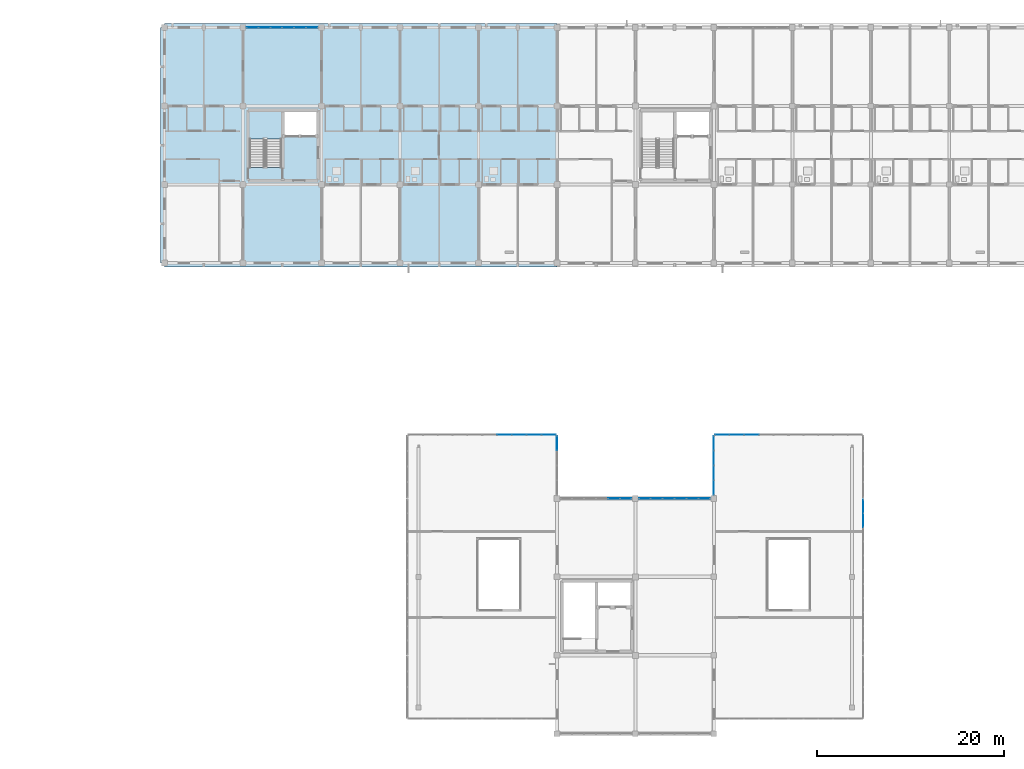
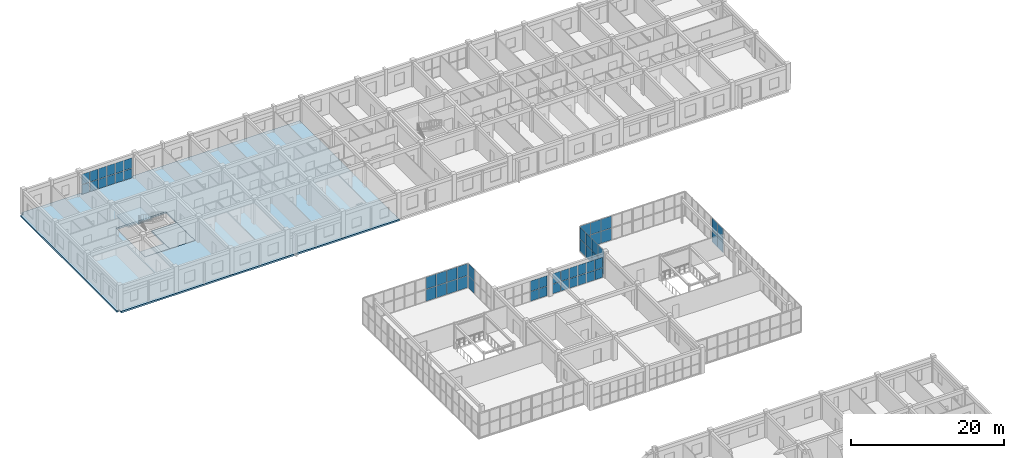
# One storey, part 55 of 81: 56 plates, 4 slabs, 9 elements without a shape of their own.
"""IFC4 building model written with IfcOpenShell, lengths in metres."""

from ifc_helpers import new_model, si_unit, direction, frame, origin, origin_2d, place, context, subcontext, project, spatial, polyline, rectangle, outline, extrude, material, layer, layer_set, type_object, element, aggregate, save


model = new_model("IFC4")

# Units and contexts
model_context = context("Model", 3, precision=1e-05, world=origin(), true_north=direction((0.0, 1.0)))
body_context = subcontext(model_context, "Body", "Model", "MODEL_VIEW")
ifc_project = project(units=[si_unit("LENGTHUNIT", "METRE"), si_unit("AREAUNIT", "SQUARE_METRE"), si_unit("VOLUMEUNIT", "CUBIC_METRE"), si_unit("PLANEANGLEUNIT", "RADIAN"), si_unit("MASSUNIT", "GRAM", prefix="KILO")], contexts=[model_context])

# Site, building, storey
site_placement = place(None, origin())
site = spatial("IfcSite", under=ifc_project, at=site_placement, CompositionType="ELEMENT")
building_placement = place(site_placement, origin())
building = spatial("IfcBuilding", under=site, at=building_placement, Name="Trelvath General Hospital", CompositionType="ELEMENT")
storey_placement = place(building_placement, frame((0.0, 0.0, 24.60009765625)))
storey = spatial("IfcBuildingStorey", under=building, at=storey_placement, Name="L06", CompositionType="ELEMENT", Elevation=24.60009765625)

# Curtain wall, plates
ifc_material_1 = material(Name="Anodised aluminium and low-E glass", Category="aluminium")
ifc_layer_1 = layer(ifc_material_1, 0.14990234375)
ifc_layer_set_1 = layer_set([ifc_layer_1], Name="Anodised aluminium and low-E glass")
curtain_wall_type_1 = type_object("IfcCurtainWallType", Name="CW Facade 767 334 15", PredefinedType="USERDEFINED", material=ifc_layer_set_1)
curtain_wall_1_placement = place(storey_placement, origin())
curtain_wall_1 = element("IfcCurtainWall", 1, at=curtain_wall_1_placement, inside=storey, type_object=curtain_wall_type_1, Name="Facade Curtain Wall CW-077", ObjectType="Unitised Glazed Curtain Wall", PredefinedType="USERDEFINED")
ifc_material_2 = material(Name="Low-E laminated glass", Category="glass")
ifc_layer_2 = layer(ifc_material_2, 0.028076171875)
ifc_layer_set_2 = layer_set([ifc_layer_2], Name="Low-E laminated glass")
plate_type_1 = type_object("IfcPlateType", Name="CurtainPanel Glass28", PredefinedType="CURTAIN_PANEL", material=ifc_layer_set_2)
plate_1_placement = place(storey_placement, frame((43.019287109375, 117.60009765625, 0.06005859375), z_axis=(0.0, 0.0, 1.0), x_axis=(1.0, 0.0, 0.0)))
plate_1 = element("IfcPlate", 2, at=plate_1_placement, type_object=plate_type_1, Name="CW-077 panel 1.1", PredefinedType="CURTAIN_PANEL", context=body_context, shape_type="SweptSolid", body=[
    extrude(rectangle(XDim=1.188232421875, YDim=0.028076171875, at=origin_2d()), origin(), (0.0, 0.0, 1.0), 1.512939453125),
])
plate_2_placement = place(storey_placement, frame((43.019287109375, 117.60009765625, 1.6328125), z_axis=(0.0, 0.0, 1.0), x_axis=(1.0, 0.0, 0.0)))
plate_2 = element("IfcPlate", 3, at=plate_2_placement, type_object=plate_type_1, Name="CW-077 panel 1.2", PredefinedType="CURTAIN_PANEL", context=body_context, shape_type="SweptSolid", body=[
    extrude(rectangle(XDim=1.188232421875, YDim=0.028076171875, at=origin_2d()), origin(), (0.0, 0.0, 1.0), 1.64697265625),
])
plate_3_placement = place(storey_placement, frame((44.282470703125, 117.60009765625, 0.06005859375), z_axis=(0.0, 0.0, 1.0), x_axis=(1.0, 0.0, 0.0)))
plate_3 = element("IfcPlate", 4, at=plate_3_placement, type_object=plate_type_1, Name="CW-077 panel 2.1", PredefinedType="CURTAIN_PANEL", context=body_context, shape_type="SweptSolid", body=[
    extrude(rectangle(XDim=1.21826171875, YDim=0.028076171875, at=origin_2d()), origin(), (0.0, 0.0, 1.0), 1.512939453125),
])
plate_4_placement = place(storey_placement, frame((44.282470703125, 117.60009765625, 1.6328125), z_axis=(0.0, 0.0, 1.0), x_axis=(1.0, 0.0, 0.0)))
plate_4 = element("IfcPlate", 5, at=plate_4_placement, type_object=plate_type_1, Name="CW-077 panel 2.2", PredefinedType="CURTAIN_PANEL", context=body_context, shape_type="SweptSolid", body=[
    extrude(rectangle(XDim=1.21826171875, YDim=0.028076171875, at=origin_2d()), origin(), (0.0, 0.0, 1.0), 1.64697265625),
])
plate_5_placement = place(storey_placement, frame((45.560791015625, 117.60009765625, 0.06005859375), z_axis=(0.0, 0.0, 1.0), x_axis=(1.0, 0.0, 0.0)))
plate_5 = element("IfcPlate", 6, at=plate_5_placement, type_object=plate_type_1, Name="CW-077 panel 3.1", PredefinedType="CURTAIN_PANEL", context=body_context, shape_type="SweptSolid", body=[
    extrude(rectangle(XDim=1.21826171875, YDim=0.028076171875, at=origin_2d()), origin(), (0.0, 0.0, 1.0), 1.512939453125),
])
plate_6_placement = place(storey_placement, frame((45.560791015625, 117.60009765625, 1.6328125), z_axis=(0.0, 0.0, 1.0), x_axis=(1.0, 0.0, 0.0)))
plate_6 = element("IfcPlate", 7, at=plate_6_placement, type_object=plate_type_1, Name="CW-077 panel 3.2", PredefinedType="CURTAIN_PANEL", context=body_context, shape_type="SweptSolid", body=[
    extrude(rectangle(XDim=1.21826171875, YDim=0.028076171875, at=origin_2d()), origin(), (0.0, 0.0, 1.0), 1.64697265625),
])
plate_7_placement = place(storey_placement, frame((46.839111328125, 117.60009765625, 0.06005859375), z_axis=(0.0, 0.0, 1.0), x_axis=(1.0, 0.0, 0.0)))
plate_7 = element("IfcPlate", 8, at=plate_7_placement, type_object=plate_type_1, Name="CW-077 panel 4.1", PredefinedType="CURTAIN_PANEL", context=body_context, shape_type="SweptSolid", body=[
    extrude(rectangle(XDim=1.21826171875, YDim=0.028076171875, at=origin_2d()), origin(), (0.0, 0.0, 1.0), 1.512939453125),
])
plate_8_placement = place(storey_placement, frame((46.839111328125, 117.60009765625, 1.6328125), z_axis=(0.0, 0.0, 1.0), x_axis=(1.0, 0.0, 0.0)))
plate_8 = element("IfcPlate", 9, at=plate_8_placement, type_object=plate_type_1, Name="CW-077 panel 4.2", PredefinedType="CURTAIN_PANEL", context=body_context, shape_type="SweptSolid", body=[
    extrude(rectangle(XDim=1.21826171875, YDim=0.028076171875, at=origin_2d()), origin(), (0.0, 0.0, 1.0), 1.64697265625),
])
plate_9_placement = place(storey_placement, frame((48.117431640625, 117.60009765625, 0.06005859375), z_axis=(0.0, 0.0, 1.0), x_axis=(1.0, 0.0, 0.0)))
plate_9 = element("IfcPlate", 10, at=plate_9_placement, type_object=plate_type_1, Name="CW-077 panel 5.1", PredefinedType="CURTAIN_PANEL", context=body_context, shape_type="SweptSolid", body=[
    extrude(rectangle(XDim=1.21826171875, YDim=0.028076171875, at=origin_2d()), origin(), (0.0, 0.0, 1.0), 1.512939453125),
])
plate_10_placement = place(storey_placement, frame((48.117431640625, 117.60009765625, 1.6328125), z_axis=(0.0, 0.0, 1.0), x_axis=(1.0, 0.0, 0.0)))
plate_10 = element("IfcPlate", 11, at=plate_10_placement, type_object=plate_type_1, Name="CW-077 panel 5.2", PredefinedType="CURTAIN_PANEL", context=body_context, shape_type="SweptSolid", body=[
    extrude(rectangle(XDim=1.21826171875, YDim=0.028076171875, at=origin_2d()), origin(), (0.0, 0.0, 1.0), 1.64697265625),
])
plate_11_placement = place(storey_placement, frame((49.380859375, 117.60009765625, 0.06005859375), z_axis=(0.0, 0.0, 1.0), x_axis=(1.0, 0.0, 0.0)))
plate_11 = element("IfcPlate", 12, at=plate_11_placement, type_object=plate_type_1, Name="CW-077 panel 6.1", PredefinedType="CURTAIN_PANEL", context=body_context, shape_type="SweptSolid", body=[
    extrude(rectangle(XDim=1.188232421875, YDim=0.028076171875, at=origin_2d()), origin(), (0.0, 0.0, 1.0), 1.512939453125),
])
plate_12_placement = place(storey_placement, frame((49.380859375, 117.60009765625, 1.6328125), z_axis=(0.0, 0.0, 1.0), x_axis=(1.0, 0.0, 0.0)))
plate_12 = element("IfcPlate", 13, at=plate_12_placement, type_object=plate_type_1, Name="CW-077 panel 6.2", PredefinedType="CURTAIN_PANEL", context=body_context, shape_type="SweptSolid", body=[
    extrude(rectangle(XDim=1.188232421875, YDim=0.028076171875, at=origin_2d()), origin(), (0.0, 0.0, 1.0), 1.64697265625),
])
aggregate(curtain_wall_1, [plate_1, plate_2, plate_3, plate_4, plate_5, plate_6, plate_7, plate_8, plate_9, plate_10, plate_11, plate_12])

ifc_material_3 = material(Name="Anodised aluminium and low-E glass", Category="aluminium")
ifc_layer_3 = layer(ifc_material_3, 0.139892578125)
ifc_layer_set_3 = layer_set([ifc_layer_3], Name="Anodised aluminium and low-E glass")
curtain_wall_type_2 = type_object("IfcCurtainWallType", Name="CW CrystalCube 790 396 14", PredefinedType="USERDEFINED", material=ifc_layer_set_3)
curtain_wall_2_placement = place(storey_placement, origin())
curtain_wall_2 = element("IfcCurtainWall", 14, at=curtain_wall_2_placement, inside=storey, type_object=curtain_wall_type_2, Name="Crystal Cube Curtain Wall CUBE-W-T2 N2 L06", ObjectType="Unitised Glazed Curtain Wall", PredefinedType="USERDEFINED")
plate_13_placement = place(storey_placement, frame((69.989990234375, 74.0, 0.06005859375), z_axis=(0.0, 0.0, 1.0), x_axis=(1.0, 0.0, 0.0)))
plate_13 = element("IfcPlate", 15, at=plate_13_placement, type_object=plate_type_1, Name="CW-327 panel 2.1", PredefinedType="CURTAIN_PANEL", context=body_context, shape_type="SweptSolid", body=[
    extrude(rectangle(XDim=1.52001953125, YDim=0.028076171875, at=origin_2d()), origin(), (0.0, 0.0, 1.0), 1.889892578125),
])
plate_14_placement = place(storey_placement, frame((69.989990234375, 74.0, 2.009765625), z_axis=(0.0, 0.0, 1.0), x_axis=(1.0, 0.0, 0.0)))
plate_14 = element("IfcPlate", 16, at=plate_14_placement, type_object=plate_type_1, Name="CW-327 panel 2.2", PredefinedType="CURTAIN_PANEL", context=body_context, shape_type="SweptSolid", body=[
    extrude(rectangle(XDim=1.52001953125, YDim=0.028076171875, at=origin_2d()), origin(), (0.0, 0.0, 1.0), 1.889892578125),
])
plate_15_placement = place(storey_placement, frame((71.570068359375, 74.0, 0.06005859375), z_axis=(0.0, 0.0, 1.0), x_axis=(1.0, 0.0, 0.0)))
plate_15 = element("IfcPlate", 17, at=plate_15_placement, type_object=plate_type_1, Name="CW-327 panel 3.1", PredefinedType="CURTAIN_PANEL", context=body_context, shape_type="SweptSolid", body=[
    extrude(rectangle(XDim=1.52001953125, YDim=0.028076171875, at=origin_2d()), origin(), (0.0, 0.0, 1.0), 1.889892578125),
])
plate_16_placement = place(storey_placement, frame((71.570068359375, 74.0, 2.009765625), z_axis=(0.0, 0.0, 1.0), x_axis=(1.0, 0.0, 0.0)))
plate_16 = element("IfcPlate", 18, at=plate_16_placement, type_object=plate_type_1, Name="CW-327 panel 3.2", PredefinedType="CURTAIN_PANEL", context=body_context, shape_type="SweptSolid", body=[
    extrude(rectangle(XDim=1.52001953125, YDim=0.028076171875, at=origin_2d()), origin(), (0.0, 0.0, 1.0), 1.889892578125),
])
plate_17_placement = place(storey_placement, frame((73.14990234375, 74.0, 0.06005859375), z_axis=(0.0, 0.0, 1.0), x_axis=(1.0, 0.0, 0.0)))
plate_17 = element("IfcPlate", 19, at=plate_17_placement, type_object=plate_type_1, Name="CW-327 panel 4.1", PredefinedType="CURTAIN_PANEL", context=body_context, shape_type="SweptSolid", body=[
    extrude(rectangle(XDim=1.52001953125, YDim=0.028076171875, at=origin_2d()), origin(), (0.0, 0.0, 1.0), 1.889892578125),
])
plate_18_placement = place(storey_placement, frame((73.14990234375, 74.0, 2.009765625), z_axis=(0.0, 0.0, 1.0), x_axis=(1.0, 0.0, 0.0)))
plate_18 = element("IfcPlate", 20, at=plate_18_placement, type_object=plate_type_1, Name="CW-327 panel 4.2", PredefinedType="CURTAIN_PANEL", context=body_context, shape_type="SweptSolid", body=[
    extrude(rectangle(XDim=1.52001953125, YDim=0.028076171875, at=origin_2d()), origin(), (0.0, 0.0, 1.0), 1.889892578125),
])
plate_19_placement = place(storey_placement, frame((74.715087890625, 74.0, 0.06005859375), z_axis=(0.0, 0.0, 1.0), x_axis=(1.0, 0.0, 0.0)))
plate_19 = element("IfcPlate", 21, at=plate_19_placement, type_object=plate_type_1, Name="CW-327 panel 5.1", PredefinedType="CURTAIN_PANEL", context=body_context, shape_type="SweptSolid", body=[
    extrude(rectangle(XDim=1.489990234375, YDim=0.028076171875, at=origin_2d()), origin(), (0.0, 0.0, 1.0), 1.889892578125),
])
plate_20_placement = place(storey_placement, frame((74.715087890625, 74.0, 2.009765625), z_axis=(0.0, 0.0, 1.0), x_axis=(1.0, 0.0, 0.0)))
plate_20 = element("IfcPlate", 22, at=plate_20_placement, type_object=plate_type_1, Name="CW-327 panel 5.2", PredefinedType="CURTAIN_PANEL", context=body_context, shape_type="SweptSolid", body=[
    extrude(rectangle(XDim=1.489990234375, YDim=0.028076171875, at=origin_2d()), origin(), (0.0, 0.0, 1.0), 1.889892578125),
])
aggregate(curtain_wall_2, [plate_13, plate_14, plate_15, plate_16, plate_17, plate_18, plate_19, plate_20])

ifc_material_4 = material(Name="Anodised aluminium and low-E glass", Category="aluminium")
ifc_layer_4 = layer(ifc_material_4, 0.139892578125)
ifc_layer_set_4 = layer_set([ifc_layer_4], Name="Anodised aluminium and low-E glass")
curtain_wall_type_3 = type_object("IfcCurtainWallType", Name="CW CrystalCube 638 396 14", PredefinedType="USERDEFINED", material=ifc_layer_set_4)
curtain_wall_3_placement = place(storey_placement, origin())
curtain_wall_3 = element("IfcCurtainWall", 23, at=curtain_wall_3_placement, inside=storey, type_object=curtain_wall_type_3, Name="Crystal Cube Curtain Wall CUBE-W-T2 E3 L06", ObjectType="Unitised Glazed Curtain Wall", PredefinedType="USERDEFINED")
plate_21_placement = place(storey_placement, frame((75.60009765625, 73.107421875, 0.06005859375), z_axis=(0.0, 0.0, 1.0), x_axis=(0.0, -1.0, 0.0)))
plate_21 = element("IfcPlate", 24, at=plate_21_placement, type_object=plate_type_1, Name="CW-331 panel 1.1", PredefinedType="CURTAIN_PANEL", context=body_context, shape_type="SweptSolid", body=[
    extrude(rectangle(XDim=1.5048828125, YDim=0.028076171875, at=origin_2d()), origin(), (0.0, 0.0, 1.0), 1.889892578125),
])
plate_22_placement = place(storey_placement, frame((75.60009765625, 73.107421875, 2.009765625), z_axis=(0.0, 0.0, 1.0), x_axis=(0.0, -1.0, 0.0)))
plate_22 = element("IfcPlate", 25, at=plate_22_placement, type_object=plate_type_1, Name="CW-331 panel 1.2", PredefinedType="CURTAIN_PANEL", context=body_context, shape_type="SweptSolid", body=[
    extrude(rectangle(XDim=1.5048828125, YDim=0.028076171875, at=origin_2d()), origin(), (0.0, 0.0, 1.0), 1.889892578125),
])
aggregate(curtain_wall_3, [plate_21, plate_22])

curtain_wall_4_placement = place(storey_placement, origin())
curtain_wall_4 = element("IfcCurtainWall", 26, at=curtain_wall_4_placement, inside=storey, type_object=curtain_wall_type_2, Name="Crystal Cube Curtain Wall CUBE-E-T2 N1 L06", ObjectType="Unitised Glazed Curtain Wall", PredefinedType="USERDEFINED")
plate_23_placement = place(storey_placement, frame((93.284912109375, 74.0, 0.06005859375), z_axis=(0.0, 0.0, 1.0), x_axis=(1.0, 0.0, 0.0)))
plate_23 = element("IfcPlate", 27, at=plate_23_placement, type_object=plate_type_1, Name="CW-334 panel 1.1", PredefinedType="CURTAIN_PANEL", context=body_context, shape_type="SweptSolid", body=[
    extrude(rectangle(XDim=1.489990234375, YDim=0.028076171875, at=origin_2d()), origin(), (0.0, 0.0, 1.0), 1.889892578125),
])
plate_24_placement = place(storey_placement, frame((93.284912109375, 74.0, 2.009765625), z_axis=(0.0, 0.0, 1.0), x_axis=(1.0, 0.0, 0.0)))
plate_24 = element("IfcPlate", 28, at=plate_24_placement, type_object=plate_type_1, Name="CW-334 panel 1.2", PredefinedType="CURTAIN_PANEL", context=body_context, shape_type="SweptSolid", body=[
    extrude(rectangle(XDim=1.489990234375, YDim=0.028076171875, at=origin_2d()), origin(), (0.0, 0.0, 1.0), 1.889892578125),
])
plate_25_placement = place(storey_placement, frame((94.85009765625, 74.0, 0.06005859375), z_axis=(0.0, 0.0, 1.0), x_axis=(1.0, 0.0, 0.0)))
plate_25 = element("IfcPlate", 29, at=plate_25_placement, type_object=plate_type_1, Name="CW-334 panel 2.1", PredefinedType="CURTAIN_PANEL", context=body_context, shape_type="SweptSolid", body=[
    extrude(rectangle(XDim=1.52001953125, YDim=0.028076171875, at=origin_2d()), origin(), (0.0, 0.0, 1.0), 1.889892578125),
])
plate_26_placement = place(storey_placement, frame((94.85009765625, 74.0, 2.009765625), z_axis=(0.0, 0.0, 1.0), x_axis=(1.0, 0.0, 0.0)))
plate_26 = element("IfcPlate", 30, at=plate_26_placement, type_object=plate_type_1, Name="CW-334 panel 2.2", PredefinedType="CURTAIN_PANEL", context=body_context, shape_type="SweptSolid", body=[
    extrude(rectangle(XDim=1.52001953125, YDim=0.028076171875, at=origin_2d()), origin(), (0.0, 0.0, 1.0), 1.889892578125),
])
plate_27_placement = place(storey_placement, frame((96.429931640625, 74.0, 0.06005859375), z_axis=(0.0, 0.0, 1.0), x_axis=(1.0, 0.0, 0.0)))
plate_27 = element("IfcPlate", 31, at=plate_27_placement, type_object=plate_type_1, Name="CW-334 panel 3.1", PredefinedType="CURTAIN_PANEL", context=body_context, shape_type="SweptSolid", body=[
    extrude(rectangle(XDim=1.52001953125, YDim=0.028076171875, at=origin_2d()), origin(), (0.0, 0.0, 1.0), 1.889892578125),
])
plate_28_placement = place(storey_placement, frame((96.429931640625, 74.0, 2.009765625), z_axis=(0.0, 0.0, 1.0), x_axis=(1.0, 0.0, 0.0)))
plate_28 = element("IfcPlate", 32, at=plate_28_placement, type_object=plate_type_1, Name="CW-334 panel 3.2", PredefinedType="CURTAIN_PANEL", context=body_context, shape_type="SweptSolid", body=[
    extrude(rectangle(XDim=1.52001953125, YDim=0.028076171875, at=origin_2d()), origin(), (0.0, 0.0, 1.0), 1.889892578125),
])
aggregate(curtain_wall_4, [plate_23, plate_24, plate_25, plate_26, plate_27, plate_28])

ifc_material_5 = material(Name="Anodised aluminium and low-E glass", Category="aluminium")
ifc_layer_5 = layer(ifc_material_5, 0.139892578125)
ifc_layer_set_5 = layer_set([ifc_layer_5], Name="Anodised aluminium and low-E glass")
curtain_wall_type_4 = type_object("IfcCurtainWallType", Name="CW CrystalCube 1664 396 14", PredefinedType="USERDEFINED", material=ifc_layer_set_5)
curtain_wall_5_placement = place(storey_placement, origin())
curtain_wall_5 = element("IfcCurtainWall", 33, at=curtain_wall_5_placement, inside=storey, type_object=curtain_wall_type_4, Name="Crystal Cube Curtain Wall CUBE-E-T2 E2 L06", ObjectType="Unitised Glazed Curtain Wall", PredefinedType="USERDEFINED")
plate_29_placement = place(storey_placement, frame((108.39990234375, 66.3486328125, 0.06005859375), z_axis=(0.0, 0.0, 1.0), x_axis=(0.0, -1.0, 0.0)))
plate_29 = element("IfcPlate", 34, at=plate_29_placement, type_object=plate_type_1, Name="CW-337 panel 1.1", PredefinedType="CURTAIN_PANEL", context=body_context, shape_type="SweptSolid", body=[
    extrude(rectangle(XDim=1.422607421875, YDim=0.028076171875, at=origin_2d()), origin(), (0.0, 0.0, 1.0), 1.889892578125),
])
plate_30_placement = place(storey_placement, frame((108.39990234375, 66.3486328125, 2.009765625), z_axis=(0.0, 0.0, 1.0), x_axis=(0.0, -1.0, 0.0)))
plate_30 = element("IfcPlate", 35, at=plate_30_placement, type_object=plate_type_1, Name="CW-337 panel 1.2", PredefinedType="CURTAIN_PANEL", context=body_context, shape_type="SweptSolid", body=[
    extrude(rectangle(XDim=1.422607421875, YDim=0.028076171875, at=origin_2d()), origin(), (0.0, 0.0, 1.0), 1.889892578125),
])
plate_31_placement = place(storey_placement, frame((108.39990234375, 64.850830078125, 0.06005859375), z_axis=(0.0, 0.0, 1.0), x_axis=(0.0, -1.0, 0.0)))
plate_31 = element("IfcPlate", 36, at=plate_31_placement, type_object=plate_type_1, Name="CW-337 panel 2.1", PredefinedType="CURTAIN_PANEL", context=body_context, shape_type="SweptSolid", body=[
    extrude(rectangle(XDim=1.45263671875, YDim=0.028076171875, at=origin_2d()), origin(), (0.0, 0.0, 1.0), 1.889892578125),
])
plate_32_placement = place(storey_placement, frame((108.39990234375, 64.850830078125, 2.009765625), z_axis=(0.0, 0.0, 1.0), x_axis=(0.0, -1.0, 0.0)))
plate_32 = element("IfcPlate", 37, at=plate_32_placement, type_object=plate_type_1, Name="CW-337 panel 2.2", PredefinedType="CURTAIN_PANEL", context=body_context, shape_type="SweptSolid", body=[
    extrude(rectangle(XDim=1.45263671875, YDim=0.028076171875, at=origin_2d()), origin(), (0.0, 0.0, 1.0), 1.889892578125),
])
aggregate(curtain_wall_5, [plate_29, plate_30, plate_31, plate_32])

curtain_wall_6_placement = place(storey_placement, origin())
curtain_wall_6 = element("IfcCurtainWall", 38, at=curtain_wall_6_placement, inside=storey, type_object=curtain_wall_type_3, Name="Crystal Cube Curtain Wall CUBE-E-T2 W3 L06", ObjectType="Unitised Glazed Curtain Wall", PredefinedType="USERDEFINED")
plate_33_placement = place(storey_placement, frame((92.39990234375, 68.3525390625, 0.06005859375), z_axis=(0.0, 0.0, 1.0), x_axis=(0.0, 1.0, 0.0)))
plate_33 = element("IfcPlate", 39, at=plate_33_placement, type_object=plate_type_1, Name="CW-339 panel 1.1", PredefinedType="CURTAIN_PANEL", context=body_context, shape_type="SweptSolid", body=[
    extrude(rectangle(XDim=1.5048828125, YDim=0.028076171875, at=origin_2d()), origin(), (0.0, 0.0, 1.0), 1.889892578125),
])
plate_34_placement = place(storey_placement, frame((92.39990234375, 68.3525390625, 2.009765625), z_axis=(0.0, 0.0, 1.0), x_axis=(0.0, 1.0, 0.0)))
plate_34 = element("IfcPlate", 40, at=plate_34_placement, type_object=plate_type_1, Name="CW-339 panel 1.2", PredefinedType="CURTAIN_PANEL", context=body_context, shape_type="SweptSolid", body=[
    extrude(rectangle(XDim=1.5048828125, YDim=0.028076171875, at=origin_2d()), origin(), (0.0, 0.0, 1.0), 1.889892578125),
])
plate_35_placement = place(storey_placement, frame((92.39990234375, 69.9326171875, 0.06005859375), z_axis=(0.0, 0.0, 1.0), x_axis=(0.0, 1.0, 0.0)))
plate_35 = element("IfcPlate", 41, at=plate_35_placement, type_object=plate_type_1, Name="CW-339 panel 2.1", PredefinedType="CURTAIN_PANEL", context=body_context, shape_type="SweptSolid", body=[
    extrude(rectangle(XDim=1.534912109375, YDim=0.028076171875, at=origin_2d()), origin(), (0.0, 0.0, 1.0), 1.889892578125),
])
plate_36_placement = place(storey_placement, frame((92.39990234375, 69.9326171875, 2.009765625), z_axis=(0.0, 0.0, 1.0), x_axis=(0.0, 1.0, 0.0)))
plate_36 = element("IfcPlate", 42, at=plate_36_placement, type_object=plate_type_1, Name="CW-339 panel 2.2", PredefinedType="CURTAIN_PANEL", context=body_context, shape_type="SweptSolid", body=[
    extrude(rectangle(XDim=1.534912109375, YDim=0.028076171875, at=origin_2d()), origin(), (0.0, 0.0, 1.0), 1.889892578125),
])
plate_37_placement = place(storey_placement, frame((92.39990234375, 71.527587890625, 0.06005859375), z_axis=(0.0, 0.0, 1.0), x_axis=(0.0, 1.0, 0.0)))
plate_37 = element("IfcPlate", 43, at=plate_37_placement, type_object=plate_type_1, Name="CW-339 panel 3.1", PredefinedType="CURTAIN_PANEL", context=body_context, shape_type="SweptSolid", body=[
    extrude(rectangle(XDim=1.534912109375, YDim=0.028076171875, at=origin_2d()), origin(), (0.0, 0.0, 1.0), 1.889892578125),
])
plate_38_placement = place(storey_placement, frame((92.39990234375, 71.527587890625, 2.009765625), z_axis=(0.0, 0.0, 1.0), x_axis=(0.0, 1.0, 0.0)))
plate_38 = element("IfcPlate", 44, at=plate_38_placement, type_object=plate_type_1, Name="CW-339 panel 3.2", PredefinedType="CURTAIN_PANEL", context=body_context, shape_type="SweptSolid", body=[
    extrude(rectangle(XDim=1.534912109375, YDim=0.028076171875, at=origin_2d()), origin(), (0.0, 0.0, 1.0), 1.889892578125),
])
plate_39_placement = place(storey_placement, frame((92.39990234375, 73.107421875, 0.06005859375), z_axis=(0.0, 0.0, 1.0), x_axis=(0.0, 1.0, 0.0)))
plate_39 = element("IfcPlate", 45, at=plate_39_placement, type_object=plate_type_1, Name="CW-339 panel 4.1", PredefinedType="CURTAIN_PANEL", context=body_context, shape_type="SweptSolid", body=[
    extrude(rectangle(XDim=1.5048828125, YDim=0.028076171875, at=origin_2d()), origin(), (0.0, 0.0, 1.0), 1.889892578125),
])
plate_40_placement = place(storey_placement, frame((92.39990234375, 73.107421875, 2.009765625), z_axis=(0.0, 0.0, 1.0), x_axis=(0.0, 1.0, 0.0)))
plate_40 = element("IfcPlate", 46, at=plate_40_placement, type_object=plate_type_1, Name="CW-339 panel 4.2", PredefinedType="CURTAIN_PANEL", context=body_context, shape_type="SweptSolid", body=[
    extrude(rectangle(XDim=1.5048828125, YDim=0.028076171875, at=origin_2d()), origin(), (0.0, 0.0, 1.0), 1.889892578125),
])
aggregate(curtain_wall_6, [plate_33, plate_34, plate_35, plate_36, plate_37, plate_38, plate_39, plate_40])

curtain_wall_7_placement = place(storey_placement, origin())
curtain_wall_7 = element("IfcCurtainWall", 47, at=curtain_wall_7_placement, inside=storey, type_object=curtain_wall_type_1, Name="Facade Curtain Wall CW-079", ObjectType="Unitised Glazed Curtain Wall", PredefinedType="USERDEFINED")
ifc_material_6 = material(Name="Low-E laminated glass", Category="glass")
ifc_layer_6 = layer(ifc_material_6, 0.035888671875)
ifc_layer_set_6 = layer_set([ifc_layer_6], Name="Low-E laminated glass")
plate_type_2 = type_object("IfcPlateType", Name="CurtainPanel Glass36", PredefinedType="CURTAIN_PANEL", material=ifc_layer_set_6)
plate_41_placement = place(storey_placement, frame((81.717529296875, 67.199951171875, 0.06005859375), z_axis=(0.0, 0.0, 1.0), x_axis=(1.0, 0.0, 0.0)))
plate_41 = element("IfcPlate", 48, at=plate_41_placement, type_object=plate_type_2, Name="CW-079 panel 5.1", PredefinedType="CURTAIN_PANEL", context=body_context, shape_type="SweptSolid", body=[
    extrude(rectangle(XDim=1.21826171875, YDim=0.035888671875, at=origin_2d()), origin(), (0.0, 0.0, 1.0), 1.512939453125),
])
plate_42_placement = place(storey_placement, frame((81.717529296875, 67.199951171875, 1.6328125), z_axis=(0.0, 0.0, 1.0), x_axis=(1.0, 0.0, 0.0)))
plate_42 = element("IfcPlate", 49, at=plate_42_placement, type_object=plate_type_2, Name="CW-079 panel 5.2", PredefinedType="CURTAIN_PANEL", context=body_context, shape_type="SweptSolid", body=[
    extrude(rectangle(XDim=1.21826171875, YDim=0.035888671875, at=origin_2d()), origin(), (0.0, 0.0, 1.0), 1.64697265625),
])
plate_43_placement = place(storey_placement, frame((82.980712890625, 67.199951171875, 0.06005859375), z_axis=(0.0, 0.0, 1.0), x_axis=(1.0, 0.0, 0.0)))
plate_43 = element("IfcPlate", 50, at=plate_43_placement, type_object=plate_type_2, Name="CW-079 panel 6.1", PredefinedType="CURTAIN_PANEL", context=body_context, shape_type="SweptSolid", body=[
    extrude(rectangle(XDim=1.188232421875, YDim=0.035888671875, at=origin_2d()), origin(), (0.0, 0.0, 1.0), 1.512939453125),
])
plate_44_placement = place(storey_placement, frame((82.980712890625, 67.199951171875, 1.6328125), z_axis=(0.0, 0.0, 1.0), x_axis=(1.0, 0.0, 0.0)))
plate_44 = element("IfcPlate", 51, at=plate_44_placement, type_object=plate_type_2, Name="CW-079 panel 6.2", PredefinedType="CURTAIN_PANEL", context=body_context, shape_type="SweptSolid", body=[
    extrude(rectangle(XDim=1.188232421875, YDim=0.035888671875, at=origin_2d()), origin(), (0.0, 0.0, 1.0), 1.64697265625),
])
aggregate(curtain_wall_7, [plate_41, plate_42, plate_43, plate_44])

curtain_wall_8_placement = place(storey_placement, origin())
curtain_wall_8 = element("IfcCurtainWall", 52, at=curtain_wall_8_placement, inside=storey, type_object=curtain_wall_type_1, Name="Facade Curtain Wall CW-081", ObjectType="Unitised Glazed Curtain Wall", PredefinedType="USERDEFINED")
plate_45_placement = place(storey_placement, frame((85.019287109375, 67.199951171875, 0.06005859375), z_axis=(0.0, 0.0, 1.0), x_axis=(1.0, 0.0, 0.0)))
plate_45 = element("IfcPlate", 53, at=plate_45_placement, type_object=plate_type_2, Name="CW-081 panel 1.1", PredefinedType="CURTAIN_PANEL", context=body_context, shape_type="SweptSolid", body=[
    extrude(rectangle(XDim=1.188232421875, YDim=0.035888671875, at=origin_2d()), origin(), (0.0, 0.0, 1.0), 1.512939453125),
])
plate_46_placement = place(storey_placement, frame((85.019287109375, 67.199951171875, 1.6328125), z_axis=(0.0, 0.0, 1.0), x_axis=(1.0, 0.0, 0.0)))
plate_46 = element("IfcPlate", 54, at=plate_46_placement, type_object=plate_type_2, Name="CW-081 panel 1.2", PredefinedType="CURTAIN_PANEL", context=body_context, shape_type="SweptSolid", body=[
    extrude(rectangle(XDim=1.188232421875, YDim=0.035888671875, at=origin_2d()), origin(), (0.0, 0.0, 1.0), 1.64697265625),
])
plate_47_placement = place(storey_placement, frame((86.282470703125, 67.199951171875, 0.06005859375), z_axis=(0.0, 0.0, 1.0), x_axis=(1.0, 0.0, 0.0)))
plate_47 = element("IfcPlate", 55, at=plate_47_placement, type_object=plate_type_2, Name="CW-081 panel 2.1", PredefinedType="CURTAIN_PANEL", context=body_context, shape_type="SweptSolid", body=[
    extrude(rectangle(XDim=1.21826171875, YDim=0.035888671875, at=origin_2d()), origin(), (0.0, 0.0, 1.0), 1.512939453125),
])
plate_48_placement = place(storey_placement, frame((86.282470703125, 67.199951171875, 1.6328125), z_axis=(0.0, 0.0, 1.0), x_axis=(1.0, 0.0, 0.0)))
plate_48 = element("IfcPlate", 56, at=plate_48_placement, type_object=plate_type_2, Name="CW-081 panel 2.2", PredefinedType="CURTAIN_PANEL", context=body_context, shape_type="SweptSolid", body=[
    extrude(rectangle(XDim=1.21826171875, YDim=0.035888671875, at=origin_2d()), origin(), (0.0, 0.0, 1.0), 1.64697265625),
])
plate_49_placement = place(storey_placement, frame((87.560791015625, 67.199951171875, 0.06005859375), z_axis=(0.0, 0.0, 1.0), x_axis=(1.0, 0.0, 0.0)))
plate_49 = element("IfcPlate", 57, at=plate_49_placement, type_object=plate_type_2, Name="CW-081 panel 3.1", PredefinedType="CURTAIN_PANEL", context=body_context, shape_type="SweptSolid", body=[
    extrude(rectangle(XDim=1.21826171875, YDim=0.035888671875, at=origin_2d()), origin(), (0.0, 0.0, 1.0), 1.512939453125),
])
plate_50_placement = place(storey_placement, frame((87.560791015625, 67.199951171875, 1.6328125), z_axis=(0.0, 0.0, 1.0), x_axis=(1.0, 0.0, 0.0)))
plate_50 = element("IfcPlate", 58, at=plate_50_placement, type_object=plate_type_2, Name="CW-081 panel 3.2", PredefinedType="CURTAIN_PANEL", context=body_context, shape_type="SweptSolid", body=[
    extrude(rectangle(XDim=1.21826171875, YDim=0.035888671875, at=origin_2d()), origin(), (0.0, 0.0, 1.0), 1.64697265625),
])
plate_51_placement = place(storey_placement, frame((88.839111328125, 67.199951171875, 0.06005859375), z_axis=(0.0, 0.0, 1.0), x_axis=(1.0, 0.0, 0.0)))
plate_51 = element("IfcPlate", 59, at=plate_51_placement, type_object=plate_type_2, Name="CW-081 panel 4.1", PredefinedType="CURTAIN_PANEL", context=body_context, shape_type="SweptSolid", body=[
    extrude(rectangle(XDim=1.21826171875, YDim=0.035888671875, at=origin_2d()), origin(), (0.0, 0.0, 1.0), 1.512939453125),
])
plate_52_placement = place(storey_placement, frame((88.839111328125, 67.199951171875, 1.6328125), z_axis=(0.0, 0.0, 1.0), x_axis=(1.0, 0.0, 0.0)))
plate_52 = element("IfcPlate", 60, at=plate_52_placement, type_object=plate_type_2, Name="CW-081 panel 4.2", PredefinedType="CURTAIN_PANEL", context=body_context, shape_type="SweptSolid", body=[
    extrude(rectangle(XDim=1.21826171875, YDim=0.035888671875, at=origin_2d()), origin(), (0.0, 0.0, 1.0), 1.64697265625),
])
plate_53_placement = place(storey_placement, frame((90.117431640625, 67.199951171875, 0.06005859375), z_axis=(0.0, 0.0, 1.0), x_axis=(1.0, 0.0, 0.0)))
plate_53 = element("IfcPlate", 61, at=plate_53_placement, type_object=plate_type_2, Name="CW-081 panel 5.1", PredefinedType="CURTAIN_PANEL", context=body_context, shape_type="SweptSolid", body=[
    extrude(rectangle(XDim=1.21826171875, YDim=0.035888671875, at=origin_2d()), origin(), (0.0, 0.0, 1.0), 1.512939453125),
])
plate_54_placement = place(storey_placement, frame((90.117431640625, 67.199951171875, 1.6328125), z_axis=(0.0, 0.0, 1.0), x_axis=(1.0, 0.0, 0.0)))
plate_54 = element("IfcPlate", 62, at=plate_54_placement, type_object=plate_type_2, Name="CW-081 panel 5.2", PredefinedType="CURTAIN_PANEL", context=body_context, shape_type="SweptSolid", body=[
    extrude(rectangle(XDim=1.21826171875, YDim=0.035888671875, at=origin_2d()), origin(), (0.0, 0.0, 1.0), 1.64697265625),
])
plate_55_placement = place(storey_placement, frame((91.380859375, 67.199951171875, 0.06005859375), z_axis=(0.0, 0.0, 1.0), x_axis=(1.0, 0.0, 0.0)))
plate_55 = element("IfcPlate", 63, at=plate_55_placement, type_object=plate_type_2, Name="CW-081 panel 6.1", PredefinedType="CURTAIN_PANEL", context=body_context, shape_type="SweptSolid", body=[
    extrude(rectangle(XDim=1.188232421875, YDim=0.035888671875, at=origin_2d()), origin(), (0.0, 0.0, 1.0), 1.512939453125),
])
plate_56_placement = place(storey_placement, frame((91.380859375, 67.199951171875, 1.6328125), z_axis=(0.0, 0.0, 1.0), x_axis=(1.0, 0.0, 0.0)))
plate_56 = element("IfcPlate", 64, at=plate_56_placement, type_object=plate_type_2, Name="CW-081 panel 6.2", PredefinedType="CURTAIN_PANEL", context=body_context, shape_type="SweptSolid", body=[
    extrude(rectangle(XDim=1.188232421875, YDim=0.035888671875, at=origin_2d()), origin(), (0.0, 0.0, 1.0), 1.64697265625),
])
aggregate(curtain_wall_8, [plate_45, plate_46, plate_47, plate_48, plate_49, plate_50, plate_51, plate_52, plate_53, plate_54, plate_55, plate_56])

# Slabs
ifc_material_7 = material(Name="Concrete C35/45", Category="concrete")
ifc_layer_7 = layer(ifc_material_7, 0.260009765625)
ifc_layer_set_7 = layer_set([ifc_layer_7], Name="Concrete C35/45")
slab_type_1 = type_object("IfcSlabType", Name="FlatSlab Ward260", PredefinedType="FLOOR", material=ifc_layer_set_7)
slab_1_placement = place(storey_placement, frame((0.0, 0.0, -0.260009765625)))
element("IfcSlab", 65, at=slab_1_placement, inside=storey, type_object=slab_type_1, Name="Floor Slab SL-L06-V5-N1", PredefinedType="FLOOR", context=body_context, shape_type="SweptSolid", body=[
    extrude(outline(polyline([(75.580078125, 92.3798828125), (75.60009765625, 92.3798828125), (75.60009765625, 91.97998046875), (33.60009765625, 91.97998046875), (33.60009765625, 92.39990234375), (33.179931640625, 92.39990234375), (33.179931640625, 117.60009765625), (33.60009765625, 117.60009765625), (33.60009765625, 118.02001953125), (75.60009765625, 118.02001953125), (75.60009765625, 117.6201171875), (75.580078125, 117.6201171875), (75.60009765625, 117.60009765625), (75.60009765625, 92.39990234375), (75.580078125, 92.3798828125)]), holes=[polyline([(42.550048828125, 101.199951171875), (50.050048828125, 101.199951171875), (50.050048828125, 108.75), (42.550048828125, 108.75), (42.550048828125, 101.199951171875)])]), origin(), (0.0, 0.0, 1.0), 0.260009765625),
])
slab_2_placement = place(storey_placement, frame((0.0, 0.0, -0.260009765625)))
element("IfcSlab", 66, at=slab_2_placement, inside=storey, type_object=slab_type_1, Name="Core Lobby Slab C1 L06", PredefinedType="FLOOR", context=body_context, shape_type="SweptSolid", body=[
    extrude(outline(polyline([(46.25, 101.199951171875), (50.050048828125, 101.199951171875), (50.050048828125, 105.949951171875), (46.25, 105.949951171875), (46.25, 101.199951171875)])), origin(), (0.0, 0.0, 1.0), 0.260009765625),
])
slab_3_placement = place(storey_placement, frame((0.0, 0.0, -0.260009765625)))
element("IfcSlab", 67, at=slab_3_placement, inside=storey, type_object=slab_type_1, Name="Stair Landing Slab C1 L06", PredefinedType="FLOOR", context=body_context, shape_type="SweptSolid", body=[
    extrude(outline(polyline([(42.550048828125, 101.199951171875), (46.25, 101.199951171875), (46.25, 102.60009765625), (42.550048828125, 102.60009765625), (42.550048828125, 101.199951171875)])), origin(), (0.0, 0.0, 1.0), 0.260009765625),
])

# Stair, slab
ifc_material_8 = material(Name="Concrete C35/45", Category="concrete")
stair_type = type_object("IfcStairType", Name="Stair Stretcher420", PredefinedType="TWO_STRAIGHT_RUN_STAIR", material=ifc_material_8)
stair_placement = place(storey_placement, origin())
stair = element("IfcStair", 68, at=stair_placement, inside=storey, type_object=stair_type, Name="Exit Stair ST1 L06", PredefinedType="TWO_STRAIGHT_RUN_STAIR")
ifc_material_9 = material(Name="Concrete C35/45", Category="concrete")
ifc_layer_8 = layer(ifc_material_9, 0.199951171875)
ifc_layer_set_8 = layer_set([ifc_layer_8], Name="Concrete C35/45")
slab_type_2 = type_object("IfcSlabType", Name="StairLanding 200", PredefinedType="LANDING", material=ifc_layer_set_8)
slab_4_placement = place(storey_placement, frame((0.0, 0.0, 1.89990234375)))
slab_4 = element("IfcSlab", 69, at=slab_4_placement, type_object=slab_type_2, Name="ST1-L06 landing 1", PredefinedType="LANDING", context=body_context, shape_type="SweptSolid", body=[
    extrude(outline(polyline([(42.56005859375, 105.679931640625), (46.239990234375, 105.679931640625), (46.239990234375, 108.739990234375), (42.56005859375, 108.739990234375), (42.56005859375, 105.679931640625)])), origin(), (0.0, 0.0, 1.0), 0.199951171875),
])
aggregate(stair, [slab_4])

save(model, "model.ifc")
